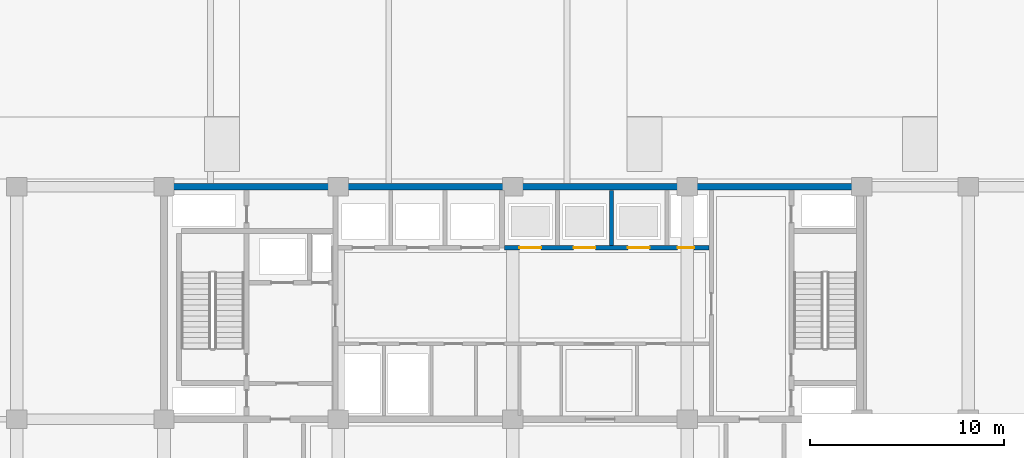
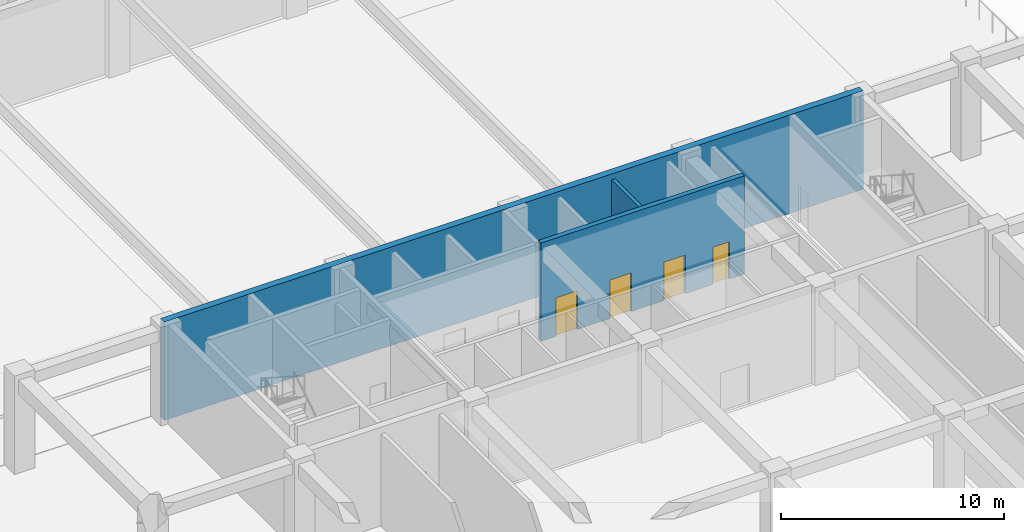
# One storey, part 22 of 46: 4 doors, 3 walls, 4 openings.
"""IFC4 building model written with IfcOpenShell, lengths in metres."""

from ifc_helpers import new_model, si_unit, direction, frame, frame_2d, origin, place, context, subcontext, project, spatial, rectangle, extrude, material, layer, layer_set, type_object, element, fill, save


model = new_model("IFC4")

# Units and contexts
model_context = context("Model", 3, precision=1e-05, world=origin(), true_north=direction((0.0, 1.0)))
body_context = subcontext(model_context, "Body", "Model", "MODEL_VIEW")
ifc_project = project(units=[si_unit("LENGTHUNIT", "METRE"), si_unit("AREAUNIT", "SQUARE_METRE"), si_unit("VOLUMEUNIT", "CUBIC_METRE"), si_unit("PLANEANGLEUNIT", "RADIAN"), si_unit("MASSUNIT", "GRAM", prefix="KILO")], contexts=[model_context])

# Site, building, storey
site_placement = place(None, origin())
site = spatial("IfcSite", under=ifc_project, at=site_placement, CompositionType="ELEMENT")
building_placement = place(site_placement, origin())
building = spatial("IfcBuilding", under=site, at=building_placement, Name="Korimba Cascade Residences", CompositionType="ELEMENT")
storey_placement = place(building_placement, origin())
storey = spatial("IfcBuildingStorey", under=building, at=storey_placement, Name="L00", CompositionType="ELEMENT", Elevation=0.0)

# Walls
ifc_material_1 = material(Name="Concrete C65/80", Category="concrete")
ifc_layer_1 = layer(ifc_material_1, 0.35009765625)
ifc_layer_set_1 = layer_set([ifc_layer_1], Name="Concrete C65/80")
wall_type_1 = type_object("IfcWallType", Name="WAL-CORE-350", PredefinedType="SHEAR", material=ifc_layer_set_1)
wall_1_placement = place(storey_placement, frame((81.925048828125, 30.39990234375, 0.0), z_axis=(0.0, 0.0, 1.0), x_axis=(1.0, 0.0, 0.0)))
element("IfcWall", 1, at=wall_1_placement, inside=storey, type_object=wall_type_1, Name="L00 Core Shear Wall CW-L00-T2-N", PredefinedType="SHEAR", context=body_context, shape_type="SweptSolid", body=[
    extrude(rectangle(XDim=36.264892578125, YDim=0.35009765625, at=frame_2d((18.13232421875, 0.0))), origin(), (0.0, 0.0, 1.0), 5.39990234375),
])
ifc_material_2 = material(Name="Concrete C40/50", Category="concrete")
ifc_layer_2 = layer(ifc_material_2, 0.199951171875)
ifc_layer_set_2 = layer_set([ifc_layer_2], Name="Concrete C40/50")
wall_type_2 = type_object("IfcWallType", Name="WAL-PART-200", PredefinedType="PARTITIONING", material=ifc_layer_set_2)
wall_2_placement = place(storey_placement, frame((105.199951171875, 27.3798828125, 0.0), z_axis=(0.0, 0.0, 1.0), x_axis=(0.0, 1.0, 0.0)))
element("IfcWall", 2, at=wall_2_placement, inside=storey, type_object=wall_type_2, Name="L00 Partition Wall CW-L00-T2-B2D2", PredefinedType="PARTITIONING", context=body_context, shape_type="SweptSolid", body=[
    extrude(rectangle(XDim=2.820068359375, YDim=0.199951171875, at=frame_2d((1.41015625, 0.0))), origin(), (0.0, 0.0, 1.0), 5.10009765625),
])

# Wall, openings, doors
ifc_material_3 = material(Name="Concrete C50/60", Category="concrete")
ifc_layer_3 = layer(ifc_material_3, 0.25)
ifc_layer_set_3 = layer_set([ifc_layer_3], Name="Concrete C50/60")
wall_type_3 = type_object("IfcWallType", Name="WAL-SHAFT-250", PredefinedType="SHEAR", material=ifc_layer_set_3)
wall_3_placement = place(storey_placement, frame((99.679931640625, 27.25, 0.0), z_axis=(0.0, 0.0, 1.0), x_axis=(1.0, 0.0, 0.0)))
wall_3 = element("IfcWall", 3, at=wall_3_placement, inside=storey, type_object=wall_type_3, Name="L00 Core Shear Wall CW-L00-T2-B2S", PredefinedType="SHEAR", context=body_context, shape_type="SweptSolid", body=[
    extrude(rectangle(XDim=10.5400390625, YDim=0.25, at=frame_2d((5.27001953125, 0.0))), origin(), (0.0, 0.0, 1.0), 5.39990234375),
])
opening_1_placement = place(wall_3_placement, frame((0.760009765625, 0.0, 0.0)))
opening_1 = element("IfcOpeningElement", 4, at=opening_1_placement, cuts=wall_3, Name="Opening LD-01", PredefinedType="OPENING", context=body_context, shape_type="SweptSolid", body=[
    extrude(rectangle(XDim=1.1201171875, YDim=2.1201171875, at=frame_2d((0.56005859375, 1.06005859375))), frame((0.0, 0.135009765625, 0.0), z_axis=(0.0, -1.0, 0.0), x_axis=(1.0, 0.0, 0.0)), (0.0, 0.0, 1.0), 0.27001953125),
])
opening_2_placement = place(wall_3_placement, frame((3.56005859375, 0.0, 0.0)))
opening_2 = element("IfcOpeningElement", 5, at=opening_2_placement, cuts=wall_3, Name="Opening LD-01", PredefinedType="OPENING", context=body_context, shape_type="SweptSolid", body=[
    extrude(rectangle(XDim=1.1201171875, YDim=2.1201171875, at=frame_2d((0.56005859375, 1.06005859375))), frame((0.0, 0.135009765625, 0.0), z_axis=(0.0, -1.0, 0.0), x_axis=(1.0, 0.0, 0.0)), (0.0, 0.0, 1.0), 0.27001953125),
])
opening_3_placement = place(wall_3_placement, frame((6.360107421875, 0.0, 0.0)))
opening_3 = element("IfcOpeningElement", 6, at=opening_3_placement, cuts=wall_3, Name="Opening LD-01", PredefinedType="OPENING", context=body_context, shape_type="SweptSolid", body=[
    extrude(rectangle(XDim=1.1201171875, YDim=2.1201171875, at=frame_2d((0.56005859375, 1.06005859375))), frame((0.0, 0.135009765625, 0.0), z_axis=(0.0, -1.0, 0.0), x_axis=(1.0, 0.0, 0.0)), (0.0, 0.0, 1.0), 0.27001953125),
])
opening_4_placement = place(wall_3_placement, frame((8.919921875, 0.0, 0.0)))
opening_4 = element("IfcOpeningElement", 7, at=opening_4_placement, cuts=wall_3, Name="Opening D-RS1", PredefinedType="OPENING", context=body_context, shape_type="SweptSolid", body=[
    extrude(rectangle(XDim=0.85009765625, YDim=2.050048828125, at=frame_2d((0.425048828125, 1.02490234375))), frame((0.0, 0.135009765625, 0.0), z_axis=(0.0, -1.0, 0.0), x_axis=(1.0, 0.0, 0.0)), (0.0, 0.0, 1.0), 0.27001953125),
])
ifc_material_4 = material(Name="Fire-Rated Steel Riser Access Door", Category="steel")
door_type_1 = type_object("IfcDoorType", Name="DR-FD60-850", OperationType="NOTDEFINED", PredefinedType="DOOR", material=ifc_material_4)
door_1_placement = place(opening_4_placement, origin())
door_1 = element("IfcDoor", 8, at=door_1_placement, inside=storey, type_object=door_type_1, Name="L00 T2 Duct Door", OperationType="SINGLE_SWING_RIGHT", OverallHeight=2.050048828125, OverallWidth=0.85009765625, PredefinedType="DOOR", context=body_context, shape_type="SweptSolid", body=[
    extrude(rectangle(XDim=0.85009765625, YDim=2.050048828125, at=frame_2d((0.425048828125, 1.02490234375))), frame((0.0, 0.02490234375, 0.0), z_axis=(0.0, -1.0, 0.0), x_axis=(1.0, 0.0, 0.0)), (0.0, 0.0, 1.0), 0.050048828125),
])
fill(opening_4, door_1)
ifc_material_5 = material(Name="Stainless Steel Lift Landing Sliding Door", Category="steel")
door_type_2 = type_object("IfcDoorType", Name="DR-LIFT-1100", OperationType="NOTDEFINED", PredefinedType="DOOR", material=ifc_material_5)
door_2_placement = place(opening_1_placement, origin())
door_2 = element("IfcDoor", 9, at=door_2_placement, inside=storey, type_object=door_type_2, Name="L00 Lift Landing Door PL-E4", OperationType="SLIDING_TO_RIGHT", OverallHeight=2.1201171875, OverallWidth=1.1201171875, PredefinedType="DOOR", context=body_context, shape_type="SweptSolid", body=[
    extrude(rectangle(XDim=1.1201171875, YDim=2.1201171875, at=frame_2d((0.56005859375, 1.06005859375))), frame((0.0, 0.02490234375, 0.0), z_axis=(0.0, -1.0, 0.0), x_axis=(1.0, 0.0, 0.0)), (0.0, 0.0, 1.0), 0.050048828125),
])
fill(opening_1, door_2)
door_3_placement = place(opening_2_placement, origin())
door_3 = element("IfcDoor", 10, at=door_3_placement, inside=storey, type_object=door_type_2, Name="L00 Lift Landing Door PL-E5", OperationType="SLIDING_TO_RIGHT", OverallHeight=2.1201171875, OverallWidth=1.1201171875, PredefinedType="DOOR", context=body_context, shape_type="SweptSolid", body=[
    extrude(rectangle(XDim=1.1201171875, YDim=2.1201171875, at=frame_2d((0.56005859375, 1.06005859375))), frame((0.0, 0.02490234375, 0.0), z_axis=(0.0, -1.0, 0.0), x_axis=(1.0, 0.0, 0.0)), (0.0, 0.0, 1.0), 0.050048828125),
])
fill(opening_2, door_3)
door_4_placement = place(opening_3_placement, origin())
door_4 = element("IfcDoor", 11, at=door_4_placement, inside=storey, type_object=door_type_2, Name="L00 Lift Landing Door PL-E6", OperationType="SLIDING_TO_RIGHT", OverallHeight=2.1201171875, OverallWidth=1.1201171875, PredefinedType="DOOR", context=body_context, shape_type="SweptSolid", body=[
    extrude(rectangle(XDim=1.1201171875, YDim=2.1201171875, at=frame_2d((0.56005859375, 1.06005859375))), frame((0.0, 0.02490234375, 0.0), z_axis=(0.0, -1.0, 0.0), x_axis=(1.0, 0.0, 0.0)), (0.0, 0.0, 1.0), 0.050048828125),
])
fill(opening_3, door_4)

save(model, "model.ifc")
